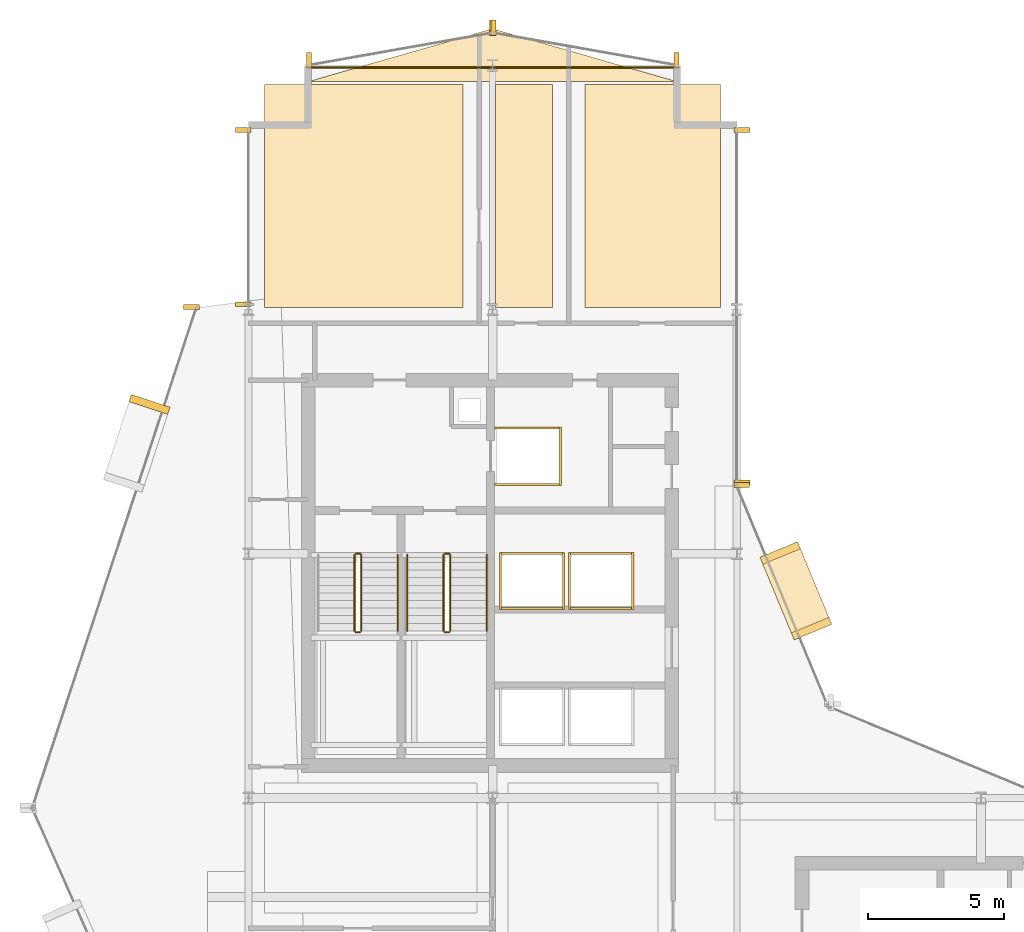
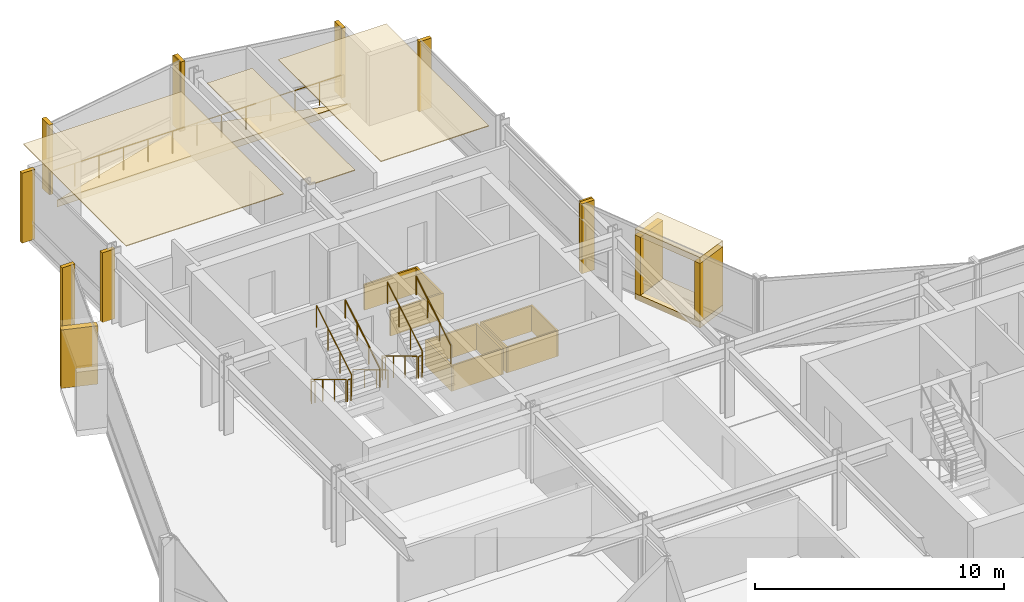
# One storey, part 29 of 29: 30 coverings, 12 railings.
"""IFC4 building model written with IfcOpenShell, lengths in metres."""

from ifc_helpers import new_model, si_unit, direction, frame, origin, origin_2d, place, context, subcontext, project, spatial, polyline, rectangle, circle, outline, extrude, material, layer, layer_set, type_object, element, save


model = new_model("IFC4")

# Units and contexts
model_context = context("Model", 3, precision=1e-05, world=origin(), true_north=direction((0.0, 1.0)))
body_context = subcontext(model_context, "Body", "Model", "MODEL_VIEW")
ifc_project = project(units=[si_unit("LENGTHUNIT", "METRE"), si_unit("AREAUNIT", "SQUARE_METRE"), si_unit("VOLUMEUNIT", "CUBIC_METRE"), si_unit("PLANEANGLEUNIT", "RADIAN"), si_unit("MASSUNIT", "GRAM", prefix="KILO")], contexts=[model_context])

# Site, building, storey
site_placement = place(None, origin())
site = spatial("IfcSite", under=ifc_project, at=site_placement, CompositionType="ELEMENT")
building_placement = place(site_placement, origin())
building = spatial("IfcBuilding", under=site, at=building_placement, Name="Solvaryn Broadcast Tower", CompositionType="ELEMENT")
storey_placement = place(building_placement, frame((0.0, 0.0, 143.300048828125)))
storey = spatial("IfcBuildingStorey", under=building, at=storey_placement, Name="L35", CompositionType="ELEMENT", Elevation=143.300048828125)

# Coverings
ifc_material_1 = material(Name="Micro-Perforated Acoustic Gypsum Ceiling", Category="concrete")
ifc_layer_1 = layer(ifc_material_1, 0.0400390625)
ifc_layer_set_1 = layer_set([ifc_layer_1], Name="CV-CEIL-ACOUSTIC")
covering_type_1 = type_object("IfcCoveringType", Name="CV-CEIL-ACOUSTIC", PredefinedType="CEILING", material=ifc_layer_set_1)
covering_1_placement = place(storey_placement, frame((0.0, 0.0, 3.3798828125)))
element("IfcCovering", 1, at=covering_1_placement, inside=storey, type_object=covering_type_1, Name="L35 Room Acoustic Ceiling 6", PredefinedType="CEILING", context=body_context, shape_type="SweptSolid", body=[
    extrude(outline(polyline([(9.60009765625, 45.070068359375), (16.89990234375, 45.070068359375), (16.89990234375, 53.300048828125), (9.60009765625, 53.300048828125), (9.60009765625, 45.070068359375)])), origin(), (0.0, 0.0, 1.0), 0.0400390625),
])
covering_2_placement = place(storey_placement, frame((0.0, 0.0, 3.3798828125)))
element("IfcCovering", 2, at=covering_2_placement, inside=storey, type_object=covering_type_1, Name="L35 Room Acoustic Ceiling 7", PredefinedType="CEILING", context=body_context, shape_type="SweptSolid", body=[
    extrude(outline(polyline([(18.10009765625, 45.070068359375), (20.199951171875, 45.070068359375), (20.199951171875, 53.300048828125), (18.10009765625, 53.300048828125), (18.10009765625, 45.070068359375)])), origin(), (0.0, 0.0, 1.0), 0.0400390625),
])
covering_3_placement = place(storey_placement, frame((0.0, 0.0, 3.3798828125)))
element("IfcCovering", 3, at=covering_3_placement, inside=storey, type_object=covering_type_1, Name="L35 Room Acoustic Ceiling 8", PredefinedType="CEILING", context=body_context, shape_type="SweptSolid", body=[
    extrude(outline(polyline([(21.39990234375, 45.070068359375), (26.39990234375, 45.070068359375), (26.39990234375, 53.300048828125), (21.39990234375, 53.300048828125), (21.39990234375, 45.070068359375)])), origin(), (0.0, 0.0, 1.0), 0.0400390625),
])
ifc_material_2 = material(Name="Fire-Rated Gypsum Shaftwall Liner", Category="concrete")
ifc_layer_2 = layer(ifc_material_2, 0.080078125)
ifc_layer_set_2 = layer_set([ifc_layer_2], Name="CV-SHAFT-LINER")
covering_type_2 = type_object("IfcCoveringType", Name="CV-SHAFT-LINER", PredefinedType="CLADDING", material=ifc_layer_set_2)
for number, where, z_axis, x_axis, name in (
    (4, (19.300048828125, 40.639892578125, 0.0), (0.0, 0.0, 1.0), (1.0, 0.0, 0.0), "L35 FL1 Hoistway Shaft Liner North"),
    (5, (19.300048828125, 38.56005859375, 0.0), (0.0, 0.0, 1.0), (1.0, 0.0, 0.0), "L35 FL1 Hoistway Shaft Liner South"),
):
    element("IfcCovering", number, at=place(storey_placement, frame(where, z_axis=z_axis, x_axis=x_axis)), inside=storey, type_object=covering_type_2, Name=name, PredefinedType="CLADDING", context=body_context, shape_type="SweptSolid", body=[
        extrude(rectangle(XDim=2.4599609375, YDim=0.080078125, at=origin_2d()), origin(), (0.0, 0.0, 1.0), 1.25),
    ])
covering_4_placement = place(storey_placement, frame((20.489990234375, 39.60009765625, 0.0), z_axis=(0.0, 0.0, 1.0), x_axis=(1.0, 0.0, 0.0)))
element("IfcCovering", 6, at=covering_4_placement, inside=storey, type_object=covering_type_2, Name="L35 FL1 Hoistway Shaft Liner East", PredefinedType="CLADDING", context=body_context, shape_type="SweptSolid", body=[
    extrude(rectangle(XDim=0.080078125, YDim=2.159912109375, at=origin_2d()), origin(), (0.0, 0.0, 1.0), 1.25),
])
for number, where, z_axis, x_axis, name in (
    (7, (19.449951171875, 36.014892578125, 0.0), (0.0, 0.0, 1.0), (1.0, 0.0, 0.0), "L35 PH3 Hoistway Shaft Liner North"),
    (8, (19.449951171875, 33.985107421875, 0.0), (0.0, 0.0, 1.0), (1.0, 0.0, 0.0), "L35 PH3 Hoistway Shaft Liner South"),
):
    element("IfcCovering", number, at=place(storey_placement, frame(where, z_axis=z_axis, x_axis=x_axis)), inside=storey, type_object=covering_type_2, Name=name, PredefinedType="CLADDING", context=body_context, shape_type="SweptSolid", body=[
        extrude(rectangle(XDim=2.409912109375, YDim=0.080078125, at=origin_2d()), origin(), (0.0, 0.0, 1.0), 1.25),
    ])
for number, where, z_axis, x_axis, name in (
    (9, (20.614990234375, 35.0, 0.0), (0.0, 0.0, 1.0), (1.0, 0.0, 0.0), "L35 PH3 Hoistway Shaft Liner East"),
    (10, (18.284912109375, 35.0, 0.0), (0.0, 0.0, 1.0), (1.0, 0.0, 0.0), "L35 PH3 Hoistway Shaft Liner West"),
):
    element("IfcCovering", number, at=place(storey_placement, frame(where, z_axis=z_axis, x_axis=x_axis)), inside=storey, type_object=covering_type_2, Name=name, PredefinedType="CLADDING", context=body_context, shape_type="SweptSolid", body=[
        extrude(rectangle(XDim=0.080078125, YDim=2.110107421875, at=origin_2d()), origin(), (0.0, 0.0, 1.0), 1.25),
    ])
for number, where, z_axis, x_axis, name in (
    (11, (22.0, 36.014892578125, 0.0), (0.0, 0.0, 1.0), (1.0, 0.0, 0.0), "L35 PH4 Hoistway Shaft Liner North"),
    (12, (22.0, 33.985107421875, 0.0), (0.0, 0.0, 1.0), (1.0, 0.0, 0.0), "L35 PH4 Hoistway Shaft Liner South"),
):
    element("IfcCovering", number, at=place(storey_placement, frame(where, z_axis=z_axis, x_axis=x_axis)), inside=storey, type_object=covering_type_2, Name=name, PredefinedType="CLADDING", context=body_context, shape_type="SweptSolid", body=[
        extrude(rectangle(XDim=2.409912109375, YDim=0.080078125, at=origin_2d()), origin(), (0.0, 0.0, 1.0), 1.25),
    ])
for number, where, z_axis, x_axis, name in (
    (13, (23.1650390625, 35.0, 0.0), (0.0, 0.0, 1.0), (1.0, 0.0, 0.0), "L35 PH4 Hoistway Shaft Liner East"),
    (14, (20.8349609375, 35.0, 0.0), (0.0, 0.0, 1.0), (1.0, 0.0, 0.0), "L35 PH4 Hoistway Shaft Liner West"),
):
    element("IfcCovering", number, at=place(storey_placement, frame(where, z_axis=z_axis, x_axis=x_axis)), inside=storey, type_object=covering_type_2, Name=name, PredefinedType="CLADDING", context=body_context, shape_type="SweptSolid", body=[
        extrude(rectangle(XDim=0.080078125, YDim=2.110107421875, at=origin_2d()), origin(), (0.0, 0.0, 1.0), 1.25),
    ])
ifc_material_3 = material(Name="Glazed Architectural Terracotta Rainscreen Cladding", Category="masonry")
ifc_layer_3 = layer(ifc_material_3, 0.280029296875)
ifc_layer_set_3 = layer_set([ifc_layer_3], Name="CV-TC-CLAD")
covering_type_3 = type_object("IfcCoveringType", Name="CV-TC-CLAD", PredefinedType="CLADDING", material=ifc_layer_set_3)
covering_5_placement = place(storey_placement, frame((5.353515625, 41.505859375, 0.27978515625), z_axis=(0.0, 0.0, 1.0), x_axis=(-0.311671636848, -0.950189870912, 0.0)))
element("IfcCovering", 15, at=covering_5_placement, inside=storey, type_object=covering_type_3, Name="L35 Projecting Stone Window Box Cheek 1-1", PredefinedType="CLADDING", context=body_context, shape_type="SweptSolid", body=[
    extrude(rectangle(XDim=0.280029296875, YDim=1.5, at=origin_2d()), origin(), (0.0, 0.0, 1.0), 2.860107421875),
])
for number, where, z_axis, x_axis, name in (
    (16, (29.174072265625, 34.636962890625, 3.1298828125), (0.0, 0.0, 1.0), (-0.382683432365, 0.923879532511, 0.0), "L35 Projecting Stone Window Box Hood 5"),
    (17, (29.174072265625, 34.636962890625, -0.01025390625), (0.0, 0.0, 1.0), (-0.382683432365, 0.923879532511, 0.0), "L35 Projecting Stone Window Box Sill 5"),
):
    element("IfcCovering", number, at=place(storey_placement, frame(where, z_axis=z_axis, x_axis=x_axis)), inside=storey, type_object=covering_type_3, Name=name, PredefinedType="CLADDING", context=body_context, shape_type="SweptSolid", body=[
        extrude(rectangle(XDim=3.300048828125, YDim=1.5, at=origin_2d()), origin(), (0.0, 0.0, 1.0), 0.300048828125),
    ])
for number, where, z_axis, x_axis, name in (
    (18, (29.751953125, 33.241943359375, 0.27978515625), (0.0, 0.0, 1.0), (-0.382683432365, 0.923879532511, 0.0), "L35 Projecting Stone Window Box Cheek 5-1"),
    (19, (28.59619140625, 36.031982421875, 0.27978515625), (0.0, 0.0, 1.0), (-0.382683432365, 0.923879532511, 0.0), "L35 Projecting Stone Window Box Cheek 5-2"),
):
    element("IfcCovering", number, at=place(storey_placement, frame(where, z_axis=z_axis, x_axis=x_axis)), inside=storey, type_object=covering_type_3, Name=name, PredefinedType="CLADDING", context=body_context, shape_type="SweptSolid", body=[
        extrude(rectangle(XDim=0.280029296875, YDim=1.5, at=origin_2d()), origin(), (0.0, 0.0, 1.0), 2.860107421875),
    ])
ifc_material_4 = material(Name="Extruded Architectural Terracotta Fin", Category="masonry")
ifc_layer_4 = layer(ifc_material_4, 0.179931640625)
ifc_layer_set_4 = layer_set([ifc_layer_4], Name="CV-TC-FIN")
covering_type_4 = type_object("IfcCoveringType", Name="CV-TC-FIN", PredefinedType="USERDEFINED", material=ifc_layer_set_4)
for number, where, z_axis, x_axis, name in (
    (20, (6.898681640625, 45.0947265625, 0.0), (0.0, 0.0, 1.0), (1.0, 0.0, 0.0), "L35 Terracotta Vertical Fin FIN-L35-DR1-M00"),
    (21, (8.8125, 45.197021484375, 0.0), (0.0, 0.0, 1.0), (1.0, 0.0, 0.0), "L35 Terracotta Vertical Fin FIN-L35-W2-M00"),
    (22, (8.8125, 51.6201171875, 0.0), (0.0, 0.0, 1.0), (1.0, 0.0, 0.0), "L35 Terracotta Vertical Fin FIN-L35-W2-M01"),
    (23, (27.1875, 51.6201171875, 0.0), (0.0, 0.0, 1.0), (1.0, 0.0, 0.0), "L35 Terracotta Vertical Fin FIN-L35-IV-M00"),
    (24, (27.1875, 38.6298828125, 0.0), (0.0, 0.0, 1.0), (1.0, 0.0, 0.0), "L35 Terracotta Vertical Fin FIN-L35-IV-M01"),
    (25, (27.177978515625, 38.541259765625, 0.0), (0.0, 0.0, 1.0), (1.0, 0.0, 0.0), "L35 Terracotta Vertical Fin FIN-L35-CN2-M01"),
):
    element("IfcCovering", number, at=place(storey_placement, frame(where, z_axis=z_axis, x_axis=x_axis)), inside=storey, type_object=covering_type_4, Name=name, ObjectType="FIN", PredefinedType="USERDEFINED", context=body_context, shape_type="SweptSolid", body=[
        extrude(rectangle(XDim=0.580078125, YDim=0.179931640625, at=origin_2d()), origin(), (0.0, 0.0, 1.0), 3.419921875),
    ])
for number, where, z_axis, x_axis, name in (
    (26, (24.7705078125, 54.192626953125, 0.0), (0.0, 0.0, 1.0), (1.0, 0.0, 0.0), "L35 Terracotta Vertical Fin FIN-L35-NT1-M00"),
    (27, (18.029541015625, 55.38232421875, 0.0), (0.0, 0.0, 1.0), (1.0, 0.0, 0.0), "L35 Terracotta Vertical Fin FIN-L35-NT1-M01"),
    (28, (17.970458984375, 55.38232421875, 0.0), (0.0, 0.0, 1.0), (1.0, 0.0, 0.0), "L35 Terracotta Vertical Fin FIN-L35-NT2-M00"),
    (29, (11.2294921875, 54.192626953125, 0.0), (0.0, 0.0, 1.0), (1.0, 0.0, 0.0), "L35 Terracotta Vertical Fin FIN-L35-NT2-M01"),
):
    element("IfcCovering", number, at=place(storey_placement, frame(where, z_axis=z_axis, x_axis=x_axis)), inside=storey, type_object=covering_type_4, Name=name, ObjectType="FIN", PredefinedType="USERDEFINED", context=body_context, shape_type="SweptSolid", body=[
        extrude(rectangle(XDim=0.179931640625, YDim=0.580078125, at=origin_2d()), origin(), (0.0, 0.0, 1.0), 3.419921875),
    ])
ifc_material_5 = material(Name="Sculpted Architectural Terracotta Wave Fascia", Category="masonry")
ifc_layer_5 = layer(ifc_material_5, 0.340087890625)
ifc_layer_set_5 = layer_set([ifc_layer_5], Name="CV-WAVE-TRAY")
covering_type_5 = type_object("IfcCoveringType", Name="CV-WAVE-TRAY", PredefinedType="CLADDING", material=ifc_layer_set_5)
covering_6_placement = place(storey_placement, frame((0.0, 0.0, -0.300048828125)))
element("IfcCovering", 30, at=covering_6_placement, inside=storey, type_object=covering_type_5, Name="L35 North Curved Wing Deck", PredefinedType="CLADDING", context=body_context, shape_type="SweptSolid", body=[
    extrude(outline(polyline([(11.199951171875, 53.39990234375), (24.800048828125, 53.39990234375), (18.0, 55.35009765625), (11.199951171875, 53.39990234375)])), origin(), (0.0, 0.0, 1.0), 0.330078125),
])

# Railings
ifc_material_6 = material(Name="Painted Steel Stair Well Guard", Category="steel")
railing_type_1 = type_object("IfcRailingType", Name="RL-STAIR-GUARD", PredefinedType="BALUSTRADE", material=ifc_material_6)
railing_1_placement = place(storey_placement, frame((12.909912109375, 35.9599609375, 0.168212890625)))
element("IfcRailing", 31, at=railing_1_placement, inside=storey, type_object=railing_type_1, Name="L35 ST1 stair guard 1", PredefinedType="BALUSTRADE", context=body_context, shape_type="SweptSolid", body=[
    extrude(circle(Radius=0.02392578125, at=origin_2d()), frame((0.0, 0.0, 1.076171875), z_axis=(0.0, -0.857275202839, 0.514858452973), x_axis=(1.0, 0.0, 0.0)), (0.0, 0.0, 1.0), 3.26611328125),
    extrude(circle(Radius=0.02099609375, at=origin_2d()), origin(), (0.0, 0.0, 1.0), 1.052001953125),
    extrude(circle(Radius=0.02099609375, at=origin_2d()), frame((0.0, -0.933349609375, 0.560546875)), (0.0, 0.0, 1.0), 1.052001953125),
    extrude(circle(Radius=0.02099609375, at=origin_2d()), frame((0.0, -1.86669921875, 1.12109375)), (0.0, 0.0, 1.0), 1.052001953125),
    extrude(circle(Radius=0.02099609375, at=origin_2d()), frame((0.0, -2.800048828125, 1.681640625)), (0.0, 0.0, 1.0), 1.052001953125),
])
railing_2_placement = place(storey_placement, frame((12.9599609375, 33.110107421875, 1.849853515625)))
element("IfcRailing", 32, at=railing_2_placement, inside=storey, type_object=railing_type_1, Name="L35 ST1 stair guard 2", PredefinedType="BALUSTRADE", context=body_context, shape_type="SweptSolid", body=[
    extrude(circle(Radius=0.02392578125, at=origin_2d()), frame((0.0, 0.0, 1.076171875), z_axis=(1.0, 0.0, 0.0), x_axis=(0.0, 1.0, 0.0)), (0.0, 0.0, 1.0), 0.150146484375),
    extrude(circle(Radius=0.02099609375, at=origin_2d()), origin(), (0.0, 0.0, 1.0), 1.052001953125),
    extrude(circle(Radius=0.02099609375, at=origin_2d()), frame((0.150146484375, 0.0, 0.0)), (0.0, 0.0, 1.0), 1.052001953125),
])
railing_3_placement = place(storey_placement, frame((13.159912109375, 33.159912109375, 2.01806640625)))
element("IfcRailing", 33, at=railing_3_placement, inside=storey, type_object=railing_type_1, Name="L35 ST1 stair guard 3", PredefinedType="BALUSTRADE", context=body_context, shape_type="SweptSolid", body=[
    extrude(circle(Radius=0.02392578125, at=origin_2d()), frame((0.0, 0.0, 1.076171875), z_axis=(0.0, 0.857242210791, 0.514913383045), x_axis=(-1.0, 0.0, 0.0)), (0.0, 0.0, 1.0), 3.266357421875),
    extrude(circle(Radius=0.02099609375, at=origin_2d()), origin(), (0.0, 0.0, 1.0), 1.052001953125),
    extrude(circle(Radius=0.02099609375, at=origin_2d()), frame((0.0, 0.933349609375, 0.560546875)), (0.0, 0.0, 1.0), 1.052001953125),
    extrude(circle(Radius=0.02099609375, at=origin_2d()), frame((0.0, 1.86669921875, 1.121337890625)), (0.0, 0.0, 1.0), 1.052001953125),
    extrude(circle(Radius=0.02099609375, at=origin_2d()), frame((0.0, 2.800048828125, 1.681884765625)), (0.0, 0.0, 1.0), 1.052001953125),
])
railing_4_placement = place(storey_placement, frame((12.9599609375, 36.010009765625, 0.0)))
element("IfcRailing", 34, at=railing_4_placement, inside=storey, type_object=railing_type_1, Name="L35 ST1 stair guard 4", PredefinedType="BALUSTRADE", context=body_context, shape_type="SweptSolid", body=[
    extrude(circle(Radius=0.02392578125, at=origin_2d()), frame((0.0, 0.0, 1.076171875), z_axis=(1.0, 0.0, 0.0), x_axis=(0.0, 1.0, 0.0)), (0.0, 0.0, 1.0), 0.150146484375),
    extrude(circle(Radius=0.02099609375, at=origin_2d()), origin(), (0.0, 0.0, 1.0), 1.052001953125),
    extrude(circle(Radius=0.02099609375, at=origin_2d()), frame((0.150146484375, 0.0, 0.0)), (0.0, 0.0, 1.0), 1.052001953125),
])
railing_5_placement = place(storey_placement, frame((16.18994140625, 35.9599609375, 0.168212890625)))
element("IfcRailing", 35, at=railing_5_placement, inside=storey, type_object=railing_type_1, Name="L35 ST2 stair guard 1", PredefinedType="BALUSTRADE", context=body_context, shape_type="SweptSolid", body=[
    extrude(circle(Radius=0.02392578125, at=origin_2d()), frame((0.0, 0.0, 1.076171875), z_axis=(0.0, -0.857275202839, 0.514858452973), x_axis=(1.0, 0.0, 0.0)), (0.0, 0.0, 1.0), 3.26611328125),
    extrude(circle(Radius=0.02099609375, at=origin_2d()), origin(), (0.0, 0.0, 1.0), 1.052001953125),
    extrude(circle(Radius=0.02099609375, at=origin_2d()), frame((0.0, -0.933349609375, 0.560546875)), (0.0, 0.0, 1.0), 1.052001953125),
    extrude(circle(Radius=0.02099609375, at=origin_2d()), frame((0.0, -1.86669921875, 1.12109375)), (0.0, 0.0, 1.0), 1.052001953125),
    extrude(circle(Radius=0.02099609375, at=origin_2d()), frame((0.0, -2.800048828125, 1.681640625)), (0.0, 0.0, 1.0), 1.052001953125),
])
railing_6_placement = place(storey_placement, frame((16.239990234375, 33.110107421875, 1.849853515625)))
element("IfcRailing", 36, at=railing_6_placement, inside=storey, type_object=railing_type_1, Name="L35 ST2 stair guard 2", PredefinedType="BALUSTRADE", context=body_context, shape_type="SweptSolid", body=[
    extrude(circle(Radius=0.02392578125, at=origin_2d()), frame((0.0, 0.0, 1.076171875), z_axis=(1.0, 0.0, 0.0), x_axis=(0.0, 1.0, 0.0)), (0.0, 0.0, 1.0), 0.14990234375),
    extrude(circle(Radius=0.02099609375, at=origin_2d()), origin(), (0.0, 0.0, 1.0), 1.052001953125),
    extrude(circle(Radius=0.02099609375, at=origin_2d()), frame((0.14990234375, 0.0, 0.0)), (0.0, 0.0, 1.0), 1.052001953125),
])
railing_7_placement = place(storey_placement, frame((16.43994140625, 33.159912109375, 2.01806640625)))
element("IfcRailing", 37, at=railing_7_placement, inside=storey, type_object=railing_type_1, Name="L35 ST2 stair guard 3", PredefinedType="BALUSTRADE", context=body_context, shape_type="SweptSolid", body=[
    extrude(circle(Radius=0.02392578125, at=origin_2d()), frame((0.0, 0.0, 1.076171875), z_axis=(0.0, 0.857242210791, 0.514913383045), x_axis=(-1.0, 0.0, 0.0)), (0.0, 0.0, 1.0), 3.266357421875),
    extrude(circle(Radius=0.02099609375, at=origin_2d()), origin(), (0.0, 0.0, 1.0), 1.052001953125),
    extrude(circle(Radius=0.02099609375, at=origin_2d()), frame((0.0, 0.933349609375, 0.560546875)), (0.0, 0.0, 1.0), 1.052001953125),
    extrude(circle(Radius=0.02099609375, at=origin_2d()), frame((0.0, 1.86669921875, 1.121337890625)), (0.0, 0.0, 1.0), 1.052001953125),
    extrude(circle(Radius=0.02099609375, at=origin_2d()), frame((0.0, 2.800048828125, 1.681884765625)), (0.0, 0.0, 1.0), 1.052001953125),
])
railing_8_placement = place(storey_placement, frame((16.239990234375, 36.010009765625, 0.0)))
element("IfcRailing", 38, at=railing_8_placement, inside=storey, type_object=railing_type_1, Name="L35 ST2 stair guard 4", PredefinedType="BALUSTRADE", context=body_context, shape_type="SweptSolid", body=[
    extrude(circle(Radius=0.02392578125, at=origin_2d()), frame((0.0, 0.0, 1.076171875), z_axis=(1.0, 0.0, 0.0), x_axis=(0.0, 1.0, 0.0)), (0.0, 0.0, 1.0), 0.14990234375),
    extrude(circle(Radius=0.02099609375, at=origin_2d()), origin(), (0.0, 0.0, 1.0), 1.052001953125),
    extrude(circle(Radius=0.02099609375, at=origin_2d()), frame((0.14990234375, 0.0, 0.0)), (0.0, 0.0, 1.0), 1.052001953125),
])
ifc_material_7 = material(Name="Brushed Stainless Steel Tubular Handrail", Category="steel")
railing_type_2 = type_object("IfcRailingType", Name="RL-STAIR-HANDRAIL", PredefinedType="HANDRAIL", material=ifc_material_7)
railing_9_placement = place(storey_placement, frame((14.5, 33.159912109375, 2.01806640625)))
element("IfcRailing", 39, at=railing_9_placement, inside=storey, type_object=railing_type_2, Name="L35 ST1 stair handrail 2", PredefinedType="HANDRAIL", context=body_context, shape_type="SweptSolid", body=[
    extrude(circle(Radius=0.02392578125, at=origin_2d()), frame((0.0, 0.0, 0.8759765625), z_axis=(0.0, 0.857242210791, 0.514913383045), x_axis=(-1.0, 0.0, 0.0)), (0.0, 0.0, 1.0), 3.266357421875),
    extrude(circle(Radius=0.02099609375, at=origin_2d()), origin(), (0.0, 0.0, 1.0), 0.851806640625),
    extrude(circle(Radius=0.02099609375, at=origin_2d()), frame((0.0, 0.933349609375, 0.560546875)), (0.0, 0.0, 1.0), 0.851806640625),
    extrude(circle(Radius=0.02099609375, at=origin_2d()), frame((0.0, 1.86669921875, 1.121337890625)), (0.0, 0.0, 1.0), 0.851806640625),
    extrude(circle(Radius=0.02099609375, at=origin_2d()), frame((0.0, 2.800048828125, 1.681884765625)), (0.0, 0.0, 1.0), 0.851806640625),
])
railing_10_placement = place(storey_placement, frame((14.85009765625, 35.9599609375, 0.168212890625)))
element("IfcRailing", 40, at=railing_10_placement, inside=storey, type_object=railing_type_2, Name="L35 ST2 stair handrail 1", PredefinedType="HANDRAIL", context=body_context, shape_type="SweptSolid", body=[
    extrude(circle(Radius=0.02392578125, at=origin_2d()), frame((0.0, 0.0, 0.8759765625), z_axis=(0.0, -0.857275202839, 0.514858452973), x_axis=(1.0, 0.0, 0.0)), (0.0, 0.0, 1.0), 3.26611328125),
    extrude(circle(Radius=0.02099609375, at=origin_2d()), origin(), (0.0, 0.0, 1.0), 0.851806640625),
    extrude(circle(Radius=0.02099609375, at=origin_2d()), frame((0.0, -0.933349609375, 0.560546875)), (0.0, 0.0, 1.0), 0.851806640625),
    extrude(circle(Radius=0.02099609375, at=origin_2d()), frame((0.0, -1.86669921875, 1.12109375)), (0.0, 0.0, 1.0), 0.851806640625),
    extrude(circle(Radius=0.02099609375, at=origin_2d()), frame((0.0, -2.800048828125, 1.681640625)), (0.0, 0.0, 1.0), 0.851806640625),
])
railing_11_placement = place(storey_placement, frame((17.780029296875, 33.159912109375, 2.01806640625)))
element("IfcRailing", 41, at=railing_11_placement, inside=storey, type_object=railing_type_2, Name="L35 ST2 stair handrail 2", PredefinedType="HANDRAIL", context=body_context, shape_type="SweptSolid", body=[
    extrude(circle(Radius=0.02392578125, at=origin_2d()), frame((0.0, 0.0, 0.8759765625), z_axis=(0.0, 0.857242210791, 0.514913383045), x_axis=(-1.0, 0.0, 0.0)), (0.0, 0.0, 1.0), 3.266357421875),
    extrude(circle(Radius=0.02099609375, at=origin_2d()), origin(), (0.0, 0.0, 1.0), 0.851806640625),
    extrude(circle(Radius=0.02099609375, at=origin_2d()), frame((0.0, 0.933349609375, 0.560546875)), (0.0, 0.0, 1.0), 0.851806640625),
    extrude(circle(Radius=0.02099609375, at=origin_2d()), frame((0.0, 1.86669921875, 1.121337890625)), (0.0, 0.0, 1.0), 0.851806640625),
    extrude(circle(Radius=0.02099609375, at=origin_2d()), frame((0.0, 2.800048828125, 1.681884765625)), (0.0, 0.0, 1.0), 0.851806640625),
])
ifc_material_8 = material(Name="Stainless Steel and Laminated Glass Guard", Category="steel")
railing_type_3 = type_object("IfcRailingType", Name="RL-TER-1150", PredefinedType="BALUSTRADE", material=ifc_material_8)
railing_12_placement = place(storey_placement, frame((11.199951171875, 53.919921875, 0.0)))
element("IfcRailing", 42, at=railing_12_placement, inside=storey, type_object=railing_type_3, Name="L35 North Wing Spandrel Edge Guard", PredefinedType="BALUSTRADE", context=body_context, shape_type="SweptSolid", body=[
    extrude(circle(Radius=0.02392578125, at=origin_2d()), frame((0.0, 0.0, 1.1259765625), z_axis=(1.0, 0.0, 0.0), x_axis=(0.0, 1.0, 0.0)), (0.0, 0.0, 1.0), 13.60009765625),
    extrude(circle(Radius=0.02099609375, at=origin_2d()), origin(), (0.0, 0.0, 1.0), 1.101806640625),
    extrude(circle(Radius=0.02099609375, at=origin_2d()), frame((1.13330078125, 0.0, 0.0)), (0.0, 0.0, 1.0), 1.101806640625),
    extrude(circle(Radius=0.02099609375, at=origin_2d()), frame((2.2666015625, 0.0, 0.0)), (0.0, 0.0, 1.0), 1.101806640625),
    extrude(circle(Radius=0.02099609375, at=origin_2d()), frame((3.39990234375, 0.0, 0.0)), (0.0, 0.0, 1.0), 1.101806640625),
    extrude(circle(Radius=0.02099609375, at=origin_2d()), frame((4.533447265625, 0.0, 0.0)), (0.0, 0.0, 1.0), 1.101806640625),
    extrude(circle(Radius=0.02099609375, at=origin_2d()), frame((5.666748046875, 0.0, 0.0)), (0.0, 0.0, 1.0), 1.101806640625),
    extrude(circle(Radius=0.02099609375, at=origin_2d()), frame((6.800048828125, 0.0, 0.0)), (0.0, 0.0, 1.0), 1.101806640625),
    extrude(circle(Radius=0.02099609375, at=origin_2d()), frame((7.933349609375, 0.0, 0.0)), (0.0, 0.0, 1.0), 1.101806640625),
    extrude(circle(Radius=0.02099609375, at=origin_2d()), frame((9.066650390625, 0.0, 0.0)), (0.0, 0.0, 1.0), 1.101806640625),
    extrude(circle(Radius=0.02099609375, at=origin_2d()), frame((10.2001953125, 0.0, 0.0)), (0.0, 0.0, 1.0), 1.101806640625),
    extrude(circle(Radius=0.02099609375, at=origin_2d()), frame((11.33349609375, 0.0, 0.0)), (0.0, 0.0, 1.0), 1.101806640625),
    extrude(circle(Radius=0.02099609375, at=origin_2d()), frame((12.466796875, 0.0, 0.0)), (0.0, 0.0, 1.0), 1.101806640625),
    extrude(circle(Radius=0.02099609375, at=origin_2d()), frame((13.60009765625, 0.0, 0.0)), (0.0, 0.0, 1.0), 1.101806640625),
])

save(model, "model.ifc")
